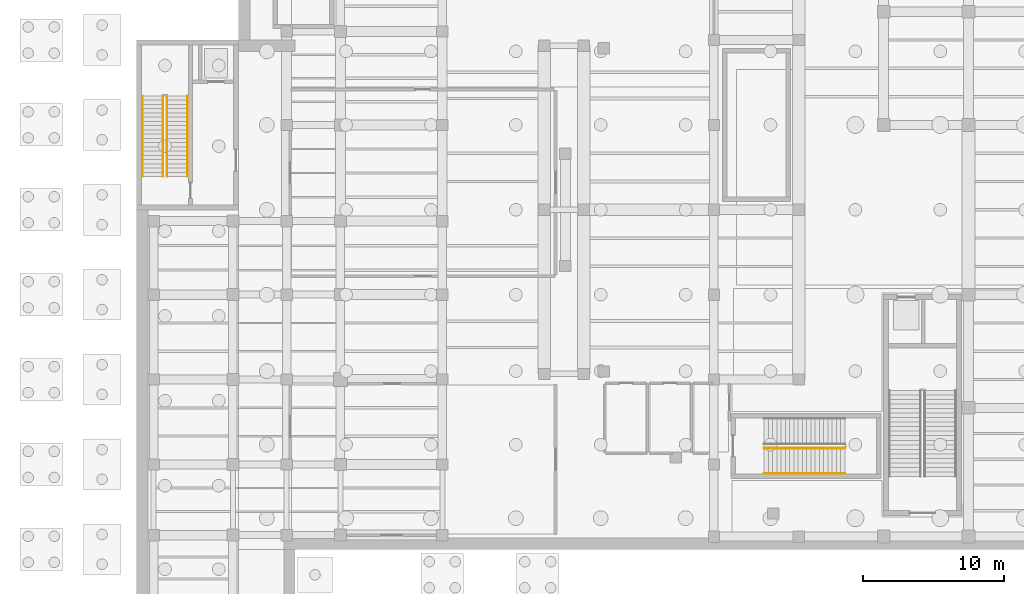
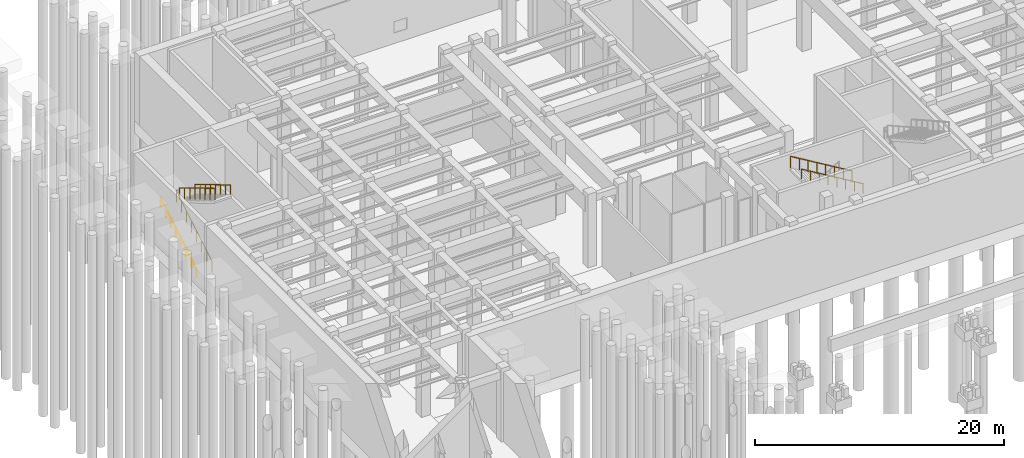
# One storey, part 22 of 30: 6 railings, 2 elements without a shape of their own.
"""IFC4 building model written with IfcOpenShell, lengths in metres."""

from ifc_helpers import new_model, si_unit, direction, frame, origin, origin_2d, place, context, subcontext, project, spatial, circle, extrude, material, type_object, element, aggregate, save


model = new_model("IFC4")

# Units and contexts
model_context = context("Model", 3, precision=1e-05, world=origin(), true_north=direction((0.0, 1.0)))
body_context = subcontext(model_context, "Body", "Model", "MODEL_VIEW")
ifc_project = project(units=[si_unit("LENGTHUNIT", "METRE"), si_unit("AREAUNIT", "SQUARE_METRE"), si_unit("VOLUMEUNIT", "CUBIC_METRE"), si_unit("PLANEANGLEUNIT", "RADIAN"), si_unit("MASSUNIT", "GRAM", prefix="KILO")], contexts=[model_context])

# Site, building, storey
site_placement = place(None, origin())
site = spatial("IfcSite", under=ifc_project, at=site_placement, CompositionType="ELEMENT")
building_placement = place(site_placement, origin())
building = spatial("IfcBuilding", under=site, at=building_placement, Name="Kolvaren Corner Interchange", CompositionType="ELEMENT")
storey_placement = place(building_placement, frame((0.0, 0.0, -7.199951171875)))
storey = spatial("IfcBuildingStorey", under=building, at=storey_placement, Name="B1", CompositionType="ELEMENT", Elevation=-7.199951171875)

# Stair, railings
ifc_material_1 = material(Name="Concrete C35/45", Category="concrete")
stair_type_1 = type_object("IfcStairType", Name="ST-FF-1550", PredefinedType="HALF_TURN_STAIR", material=ifc_material_1)
stair_1_placement = place(storey_placement, origin())
stair_1 = element("IfcStair", 1, at=stair_1_placement, inside=storey, type_object=stair_type_1, Name="Core C2 Northwest Firefighting Stair B1 to L01 Stair", PredefinedType="HALF_TURN_STAIR")
ifc_material_2 = material(Name="Powder-Coated Steel Stairwell Guardrail", Category="steel")
railing_type_1 = type_object("IfcRailingType", Name="RLT-STAIR-GRD1120", PredefinedType="GUARDRAIL", material=ifc_material_2)
railing_1_placement = place(storey_placement, frame((9.050048828125, 50.35009765625, 0.179931640625)))
railing_1 = element("IfcRailing", 2, at=railing_1_placement, type_object=railing_type_1, Name="Core C2 Northwest Firefighting Stair B1 Lower Flight Well Guardrail", PredefinedType="GUARDRAIL", context=body_context, shape_type="SweptSolid", body=[
    extrude(circle(Radius=0.02392578125, at=origin_2d()), frame((0.0, 0.0, 1.09619140625), z_axis=(0.0, 0.85749616643, 0.514490354193), x_axis=(-1.0, 0.0, 0.0)), (0.0, 0.0, 1.0), 6.647216796875),
    extrude(circle(Radius=0.02001953125, at=origin_2d()), origin(), (0.0, 0.0, 1.0), 1.072021484375),
    extrude(circle(Radius=0.02001953125, at=origin_2d()), frame((0.0, 0.814208984375, 0.488525390625)), (0.0, 0.0, 1.0), 1.072021484375),
    extrude(circle(Radius=0.02001953125, at=origin_2d()), frame((0.0, 1.628662109375, 0.97705078125)), (0.0, 0.0, 1.0), 1.072021484375),
    extrude(circle(Radius=0.02001953125, at=origin_2d()), frame((0.0, 2.44287109375, 1.465576171875)), (0.0, 0.0, 1.0), 1.072021484375),
    extrude(circle(Radius=0.02001953125, at=origin_2d()), frame((0.0, 3.257080078125, 1.954345703125)), (0.0, 0.0, 1.0), 1.072021484375),
    extrude(circle(Radius=0.02001953125, at=origin_2d()), frame((0.0, 4.0712890625, 2.44287109375)), (0.0, 0.0, 1.0), 1.072021484375),
    extrude(circle(Radius=0.02001953125, at=origin_2d()), frame((0.0, 4.8857421875, 2.931396484375)), (0.0, 0.0, 1.0), 1.072021484375),
    extrude(circle(Radius=0.02001953125, at=origin_2d()), frame((0.0, 5.699951171875, 3.419921875)), (0.0, 0.0, 1.0), 1.072021484375),
])
railing_2_placement = place(storey_placement, frame((9.35009765625, 56.050048828125, 3.780029296875)))
railing_2 = element("IfcRailing", 3, at=railing_2_placement, type_object=railing_type_1, Name="Core C2 Northwest Firefighting Stair B1 Upper Flight Well Guardrail", PredefinedType="GUARDRAIL", context=body_context, shape_type="SweptSolid", body=[
    extrude(circle(Radius=0.02392578125, at=origin_2d()), frame((0.0, 0.0, 1.09619140625), z_axis=(0.0, -0.85749616643, 0.514490354193), x_axis=(1.0, 0.0, 0.0)), (0.0, 0.0, 1.0), 6.647216796875),
    extrude(circle(Radius=0.02001953125, at=origin_2d()), origin(), (0.0, 0.0, 1.0), 1.072021484375),
    extrude(circle(Radius=0.02001953125, at=origin_2d()), frame((0.0, -0.814208984375, 0.488525390625)), (0.0, 0.0, 1.0), 1.072021484375),
    extrude(circle(Radius=0.02001953125, at=origin_2d()), frame((0.0, -1.628662109375, 0.97705078125)), (0.0, 0.0, 1.0), 1.072021484375),
    extrude(circle(Radius=0.02001953125, at=origin_2d()), frame((0.0, -2.44287109375, 1.465576171875)), (0.0, 0.0, 1.0), 1.072021484375),
    extrude(circle(Radius=0.02001953125, at=origin_2d()), frame((0.0, -3.257080078125, 1.954345703125)), (0.0, 0.0, 1.0), 1.072021484375),
    extrude(circle(Radius=0.02001953125, at=origin_2d()), frame((0.0, -4.0712890625, 2.44287109375)), (0.0, 0.0, 1.0), 1.072021484375),
    extrude(circle(Radius=0.02001953125, at=origin_2d()), frame((0.0, -4.8857421875, 2.931396484375)), (0.0, 0.0, 1.0), 1.072021484375),
    extrude(circle(Radius=0.02001953125, at=origin_2d()), frame((0.0, -5.699951171875, 3.419921875)), (0.0, 0.0, 1.0), 1.072021484375),
])

# Stair, railing
ifc_material_3 = material(Name="Concrete C35/45", Category="concrete")
stair_type_2 = type_object("IfcStairType", Name="ST-M1-1900", PredefinedType="HALF_TURN_STAIR", material=ifc_material_3)
stair_2_placement = place(storey_placement, origin())
stair_2 = element("IfcStair", 4, at=stair_2_placement, inside=storey, type_object=stair_type_2, Name="Metro West Plant and Gateline Exit Stair B1 to L01 Stair", PredefinedType="HALF_TURN_STAIR")
railing_3_placement = place(storey_placement, frame((57.25, 31.14990234375, 3.780029296875)))
railing_3 = element("IfcRailing", 5, at=railing_3_placement, type_object=railing_type_1, Name="Metro West Plant and Gateline Exit Stair B1 Upper Flight Well Guardrail", PredefinedType="GUARDRAIL", context=body_context, shape_type="SweptSolid", body=[
    extrude(circle(Radius=0.02392578125, at=origin_2d()), frame((0.0, 0.0, 1.09619140625), z_axis=(-0.85749616643, 0.0, 0.514490354193), x_axis=(0.0, -1.0, 0.0)), (0.0, 0.0, 1.0), 6.647216796875),
    extrude(circle(Radius=0.02001953125, at=origin_2d()), origin(), (0.0, 0.0, 1.0), 1.072021484375),
    extrude(circle(Radius=0.02001953125, at=origin_2d()), frame((-0.814208984375, 0.0, 0.488525390625)), (0.0, 0.0, 1.0), 1.072021484375),
    extrude(circle(Radius=0.02001953125, at=origin_2d()), frame((-1.628662109375, 0.0, 0.97705078125)), (0.0, 0.0, 1.0), 1.072021484375),
    extrude(circle(Radius=0.02001953125, at=origin_2d()), frame((-2.44287109375, 0.0, 1.465576171875)), (0.0, 0.0, 1.0), 1.072021484375),
    extrude(circle(Radius=0.02001953125, at=origin_2d()), frame((-3.257080078125, 0.0, 1.954345703125)), (0.0, 0.0, 1.0), 1.072021484375),
    extrude(circle(Radius=0.02001953125, at=origin_2d()), frame((-4.0712890625, 0.0, 2.44287109375)), (0.0, 0.0, 1.0), 1.072021484375),
    extrude(circle(Radius=0.02001953125, at=origin_2d()), frame((-4.8857421875, 0.0, 2.931396484375)), (0.0, 0.0, 1.0), 1.072021484375),
    extrude(circle(Radius=0.02001953125, at=origin_2d()), frame((-5.699951171875, 0.0, 3.419921875)), (0.0, 0.0, 1.0), 1.072021484375),
])

# Railing
ifc_material_4 = material(Name="Brushed Stainless Steel Stair Handrail", Category="steel")
railing_type_2 = type_object("IfcRailingType", Name="RLT-STAIR-HR950", PredefinedType="HANDRAIL", material=ifc_material_4)
railing_4_placement = place(storey_placement, frame((7.610107421875, 50.35009765625, 0.179931640625)))
railing_4 = element("IfcRailing", 6, at=railing_4_placement, type_object=railing_type_2, Name="Core C2 Northwest Firefighting Stair B1 Lower Flight Wall Handrail", PredefinedType="HANDRAIL", context=body_context, shape_type="SweptSolid", body=[
    extrude(circle(Radius=0.02197265625, at=origin_2d()), frame((0.0, 0.0, 0.927978515625), z_axis=(0.0, 0.85749616643, 0.514490354193), x_axis=(-1.0, 0.0, 0.0)), (0.0, 0.0, 1.0), 6.647216796875),
    extrude(circle(Radius=0.01806640625, at=origin_2d()), origin(), (0.0, 0.0, 1.0), 0.906005859375),
    extrude(circle(Radius=0.01806640625, at=origin_2d()), frame((0.0, 0.814208984375, 0.488525390625)), (0.0, 0.0, 1.0), 0.906005859375),
    extrude(circle(Radius=0.01806640625, at=origin_2d()), frame((0.0, 1.628662109375, 0.97705078125)), (0.0, 0.0, 1.0), 0.906005859375),
    extrude(circle(Radius=0.01806640625, at=origin_2d()), frame((0.0, 2.44287109375, 1.465576171875)), (0.0, 0.0, 1.0), 0.906005859375),
    extrude(circle(Radius=0.01806640625, at=origin_2d()), frame((0.0, 3.257080078125, 1.954345703125)), (0.0, 0.0, 1.0), 0.906005859375),
    extrude(circle(Radius=0.01806640625, at=origin_2d()), frame((0.0, 4.0712890625, 2.44287109375)), (0.0, 0.0, 1.0), 0.906005859375),
    extrude(circle(Radius=0.01806640625, at=origin_2d()), frame((0.0, 4.8857421875, 2.931396484375)), (0.0, 0.0, 1.0), 0.906005859375),
    extrude(circle(Radius=0.01806640625, at=origin_2d()), frame((0.0, 5.699951171875, 3.419921875)), (0.0, 0.0, 1.0), 0.906005859375),
])

railing_5_placement = place(storey_placement, frame((10.7900390625, 56.050048828125, 3.780029296875)))
railing_5 = element("IfcRailing", 7, at=railing_5_placement, type_object=railing_type_2, Name="Core C2 Northwest Firefighting Stair B1 Upper Flight Wall Handrail", PredefinedType="HANDRAIL", context=body_context, shape_type="SweptSolid", body=[
    extrude(circle(Radius=0.02197265625, at=origin_2d()), frame((0.0, 0.0, 0.927978515625), z_axis=(0.0, -0.85749616643, 0.514490354193), x_axis=(1.0, 0.0, 0.0)), (0.0, 0.0, 1.0), 6.647216796875),
    extrude(circle(Radius=0.01806640625, at=origin_2d()), origin(), (0.0, 0.0, 1.0), 0.906005859375),
    extrude(circle(Radius=0.01806640625, at=origin_2d()), frame((0.0, -0.814208984375, 0.488525390625)), (0.0, 0.0, 1.0), 0.906005859375),
    extrude(circle(Radius=0.01806640625, at=origin_2d()), frame((0.0, -1.628662109375, 0.97705078125)), (0.0, 0.0, 1.0), 0.906005859375),
    extrude(circle(Radius=0.01806640625, at=origin_2d()), frame((0.0, -2.44287109375, 1.465576171875)), (0.0, 0.0, 1.0), 0.906005859375),
    extrude(circle(Radius=0.01806640625, at=origin_2d()), frame((0.0, -3.257080078125, 1.954345703125)), (0.0, 0.0, 1.0), 0.906005859375),
    extrude(circle(Radius=0.01806640625, at=origin_2d()), frame((0.0, -4.0712890625, 2.44287109375)), (0.0, 0.0, 1.0), 0.906005859375),
    extrude(circle(Radius=0.01806640625, at=origin_2d()), frame((0.0, -4.8857421875, 2.931396484375)), (0.0, 0.0, 1.0), 0.906005859375),
    extrude(circle(Radius=0.01806640625, at=origin_2d()), frame((0.0, -5.699951171875, 3.419921875)), (0.0, 0.0, 1.0), 0.906005859375),
])

aggregate(stair_1, [railing_1, railing_2, railing_4, railing_5])

railing_6_placement = place(storey_placement, frame((57.25, 29.360107421875, 3.780029296875)))
railing_6 = element("IfcRailing", 8, at=railing_6_placement, type_object=railing_type_2, Name="Metro West Plant and Gateline Exit Stair B1 Upper Flight Wall Handrail", PredefinedType="HANDRAIL", context=body_context, shape_type="SweptSolid", body=[
    extrude(circle(Radius=0.02197265625, at=origin_2d()), frame((0.0, 0.0, 0.927978515625), z_axis=(-0.85749616643, 0.0, 0.514490354193), x_axis=(0.0, -1.0, 0.0)), (0.0, 0.0, 1.0), 6.647216796875),
    extrude(circle(Radius=0.01806640625, at=origin_2d()), origin(), (0.0, 0.0, 1.0), 0.906005859375),
    extrude(circle(Radius=0.01806640625, at=origin_2d()), frame((-0.814208984375, 0.0, 0.488525390625)), (0.0, 0.0, 1.0), 0.906005859375),
    extrude(circle(Radius=0.01806640625, at=origin_2d()), frame((-1.628662109375, 0.0, 0.97705078125)), (0.0, 0.0, 1.0), 0.906005859375),
    extrude(circle(Radius=0.01806640625, at=origin_2d()), frame((-2.44287109375, 0.0, 1.465576171875)), (0.0, 0.0, 1.0), 0.906005859375),
    extrude(circle(Radius=0.01806640625, at=origin_2d()), frame((-3.257080078125, 0.0, 1.954345703125)), (0.0, 0.0, 1.0), 0.906005859375),
    extrude(circle(Radius=0.01806640625, at=origin_2d()), frame((-4.0712890625, 0.0, 2.44287109375)), (0.0, 0.0, 1.0), 0.906005859375),
    extrude(circle(Radius=0.01806640625, at=origin_2d()), frame((-4.8857421875, 0.0, 2.931396484375)), (0.0, 0.0, 1.0), 0.906005859375),
    extrude(circle(Radius=0.01806640625, at=origin_2d()), frame((-5.699951171875, 0.0, 3.419921875)), (0.0, 0.0, 1.0), 0.906005859375),
])

aggregate(stair_2, [railing_3, railing_6])

save(model, "model.ifc")
